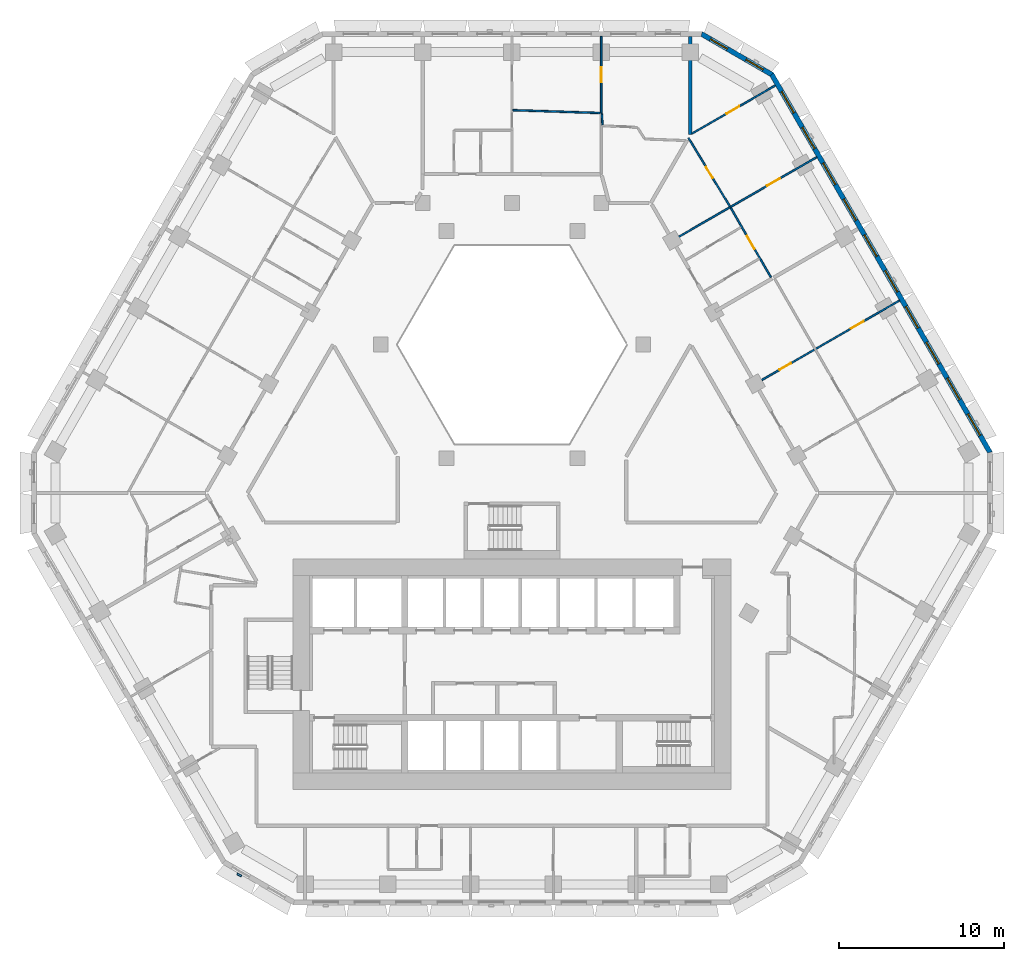
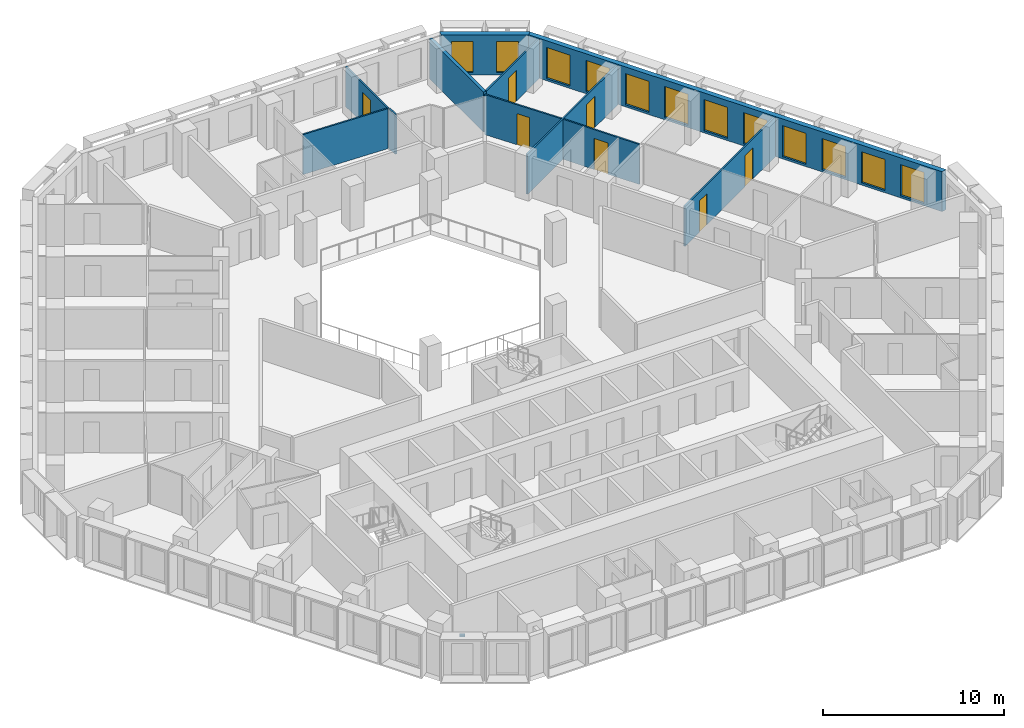
# One storey, part 10 of 18: 12 windows, 11 walls, 7 doors, 1 discrete accessory, 19 openings.
"""IFC4 building model written with IfcOpenShell, lengths in metres."""

from ifc_helpers import new_model, si_unit, direction, frame, frame_2d, origin, place, context, subcontext, project, spatial, polyline, rectangle, outline, extrude, source, transform, mapped, material, layer, layer_set, type_object, type_shapes, element, fill, save


model = new_model("IFC4")

# Units and contexts
model_context = context("Model", 3, precision=1e-05, world=origin(), true_north=direction((0.0, 1.0)))
body_context = subcontext(model_context, "Body", "Model", "MODEL_VIEW")
ifc_project = project(units=[si_unit("LENGTHUNIT", "METRE"), si_unit("AREAUNIT", "SQUARE_METRE"), si_unit("VOLUMEUNIT", "CUBIC_METRE"), si_unit("PLANEANGLEUNIT", "RADIAN"), si_unit("MASSUNIT", "GRAM", prefix="KILO")], contexts=[model_context])

# Site, building, storey
site_placement = place(None, origin())
site = spatial("IfcSite", under=ifc_project, at=site_placement, CompositionType="ELEMENT")
building_placement = place(site_placement, origin())
building = spatial("IfcBuilding", under=site, at=building_placement, Name="Beryl Residences", CompositionType="ELEMENT")
storey_placement = place(building_placement, frame((0.0, 0.0, 99.0)))
storey = spatial("IfcBuildingStorey", under=building, at=storey_placement, Name="L30", CompositionType="ELEMENT", Elevation=99.0)

# Wall, openings, windows
ifc_material_1 = material(Name="Composite metal panel with mineral wool insulation")
ifc_layer_1 = layer(ifc_material_1, 0.300048828125)
ifc_layer_set_1 = layer_set([ifc_layer_1], Name="ES1 pale metal composite panel wall 300 mm")
wall_type_1 = type_object("IfcWallType", Name="ES1 pale metal composite panel wall 300 mm", PredefinedType="SOLIDWALL", material=ifc_layer_set_1)
wall_1_placement = place(storey_placement, frame((29.027099609375, 1.425048828125, 0.0), z_axis=(0.0, 0.0, 1.0), x_axis=(-0.500027479704, 0.866009537788, 0.0)))
wall_1 = element("IfcWall", 1, at=wall_1_placement, inside=storey, type_object=wall_type_1, Name="ES1 external wall L30 NE", PredefinedType="SOLIDWALL", context=body_context, shape_type="SweptSolid", body=[
    extrude(outline(polyline([(0.0, -0.14990234375), (26.55859375, -0.14990234375), (26.478271484375, 0.14990234375), (0.080322265625, 0.14990234375), (0.0, -0.14990234375)])), origin(), (0.0, 0.0, 1.0), 2.699951171875),
])
opening_1_placement = place(wall_1_placement, frame((1.22705078125, 0.0, 0.14990234375)))
opening_1 = element("IfcOpeningElement", 2, at=opening_1_placement, cuts=wall_1, Name="Opening W1", PredefinedType="OPENING", context=body_context, shape_type="SweptSolid", body=[
    extrude(rectangle(XDim=1.5, YDim=2.10009765625, at=frame_2d((0.75, 1.050048828125))), frame((0.0, 0.159912109375, 0.0), z_axis=(0.0, -1.0, 0.0), x_axis=(1.0, 0.0, 0.0)), (0.0, 0.0, 1.0), 0.320068359375),
])
opening_2_placement = place(wall_1_placement, frame((3.738037109375, 0.0, 0.14990234375)))
opening_2 = element("IfcOpeningElement", 3, at=opening_2_placement, cuts=wall_1, Name="Opening W1", PredefinedType="OPENING", context=body_context, shape_type="SweptSolid", body=[
    extrude(rectangle(XDim=1.5, YDim=2.10009765625, at=frame_2d((0.75, 1.050048828125))), frame((0.0, 0.159912109375, 0.0), z_axis=(0.0, -1.0, 0.0), x_axis=(1.0, 0.0, 0.0)), (0.0, 0.0, 1.0), 0.320068359375),
])
opening_3_placement = place(wall_1_placement, frame((6.25, 0.0, 0.14990234375)))
opening_3 = element("IfcOpeningElement", 4, at=opening_3_placement, cuts=wall_1, Name="Opening W1", PredefinedType="OPENING", context=body_context, shape_type="SweptSolid", body=[
    extrude(rectangle(XDim=1.5, YDim=2.10009765625, at=frame_2d((0.75, 1.050048828125))), frame((0.0, 0.159912109375, 0.0), z_axis=(0.0, -1.0, 0.0), x_axis=(1.0, 0.0, 0.0)), (0.0, 0.0, 1.0), 0.320068359375),
])
opening_4_placement = place(wall_1_placement, frame((8.760986328125, 0.0, 0.14990234375)))
opening_4 = element("IfcOpeningElement", 5, at=opening_4_placement, cuts=wall_1, Name="Opening W1", PredefinedType="OPENING", context=body_context, shape_type="SweptSolid", body=[
    extrude(rectangle(XDim=1.5, YDim=2.10009765625, at=frame_2d((0.75, 1.050048828125))), frame((0.0, 0.159912109375, 0.0), z_axis=(0.0, -1.0, 0.0), x_axis=(1.0, 0.0, 0.0)), (0.0, 0.0, 1.0), 0.320068359375),
])
opening_5_placement = place(wall_1_placement, frame((11.27294921875, 0.0, 0.14990234375)))
opening_5 = element("IfcOpeningElement", 6, at=opening_5_placement, cuts=wall_1, Name="Opening W1", PredefinedType="OPENING", context=body_context, shape_type="SweptSolid", body=[
    extrude(rectangle(XDim=1.5, YDim=2.10009765625, at=frame_2d((0.75, 1.050048828125))), frame((0.0, 0.159912109375, 0.0), z_axis=(0.0, -1.0, 0.0), x_axis=(1.0, 0.0, 0.0)), (0.0, 0.0, 1.0), 0.320068359375),
])
opening_6_placement = place(wall_1_placement, frame((13.784912109375, 0.0, 0.14990234375)))
opening_6 = element("IfcOpeningElement", 7, at=opening_6_placement, cuts=wall_1, Name="Opening W1", PredefinedType="OPENING", context=body_context, shape_type="SweptSolid", body=[
    extrude(rectangle(XDim=1.5, YDim=2.10009765625, at=frame_2d((0.75, 1.050048828125))), frame((0.0, 0.159912109375, 0.0), z_axis=(0.0, -1.0, 0.0), x_axis=(1.0, 0.0, 0.0)), (0.0, 0.0, 1.0), 0.320068359375),
])
opening_7_placement = place(wall_1_placement, frame((16.2958984375, 0.0, 0.14990234375)))
opening_7 = element("IfcOpeningElement", 8, at=opening_7_placement, cuts=wall_1, Name="Opening W1", PredefinedType="OPENING", context=body_context, shape_type="SweptSolid", body=[
    extrude(rectangle(XDim=1.5, YDim=2.10009765625, at=frame_2d((0.75, 1.050048828125))), frame((0.0, 0.159912109375, 0.0), z_axis=(0.0, -1.0, 0.0), x_axis=(1.0, 0.0, 0.0)), (0.0, 0.0, 1.0), 0.320068359375),
])
opening_8_placement = place(wall_1_placement, frame((18.806884765625, 0.0, 0.14990234375)))
opening_8 = element("IfcOpeningElement", 9, at=opening_8_placement, cuts=wall_1, Name="Opening W1", PredefinedType="OPENING", context=body_context, shape_type="SweptSolid", body=[
    extrude(rectangle(XDim=1.5, YDim=2.10009765625, at=frame_2d((0.75, 1.050048828125))), frame((0.0, 0.159912109375, 0.0), z_axis=(0.0, -1.0, 0.0), x_axis=(1.0, 0.0, 0.0)), (0.0, 0.0, 1.0), 0.320068359375),
])
opening_9_placement = place(wall_1_placement, frame((21.319091796875, 0.0, 0.14990234375)))
opening_9 = element("IfcOpeningElement", 10, at=opening_9_placement, cuts=wall_1, Name="Opening W1", PredefinedType="OPENING", context=body_context, shape_type="SweptSolid", body=[
    extrude(rectangle(XDim=1.5, YDim=2.10009765625, at=frame_2d((0.75, 1.050048828125))), frame((0.0, 0.159912109375, 0.0), z_axis=(0.0, -1.0, 0.0), x_axis=(1.0, 0.0, 0.0)), (0.0, 0.0, 1.0), 0.320068359375),
])
opening_10_placement = place(wall_1_placement, frame((23.8310546875, 0.0, 0.14990234375)))
opening_10 = element("IfcOpeningElement", 11, at=opening_10_placement, cuts=wall_1, Name="Opening W1", PredefinedType="OPENING", context=body_context, shape_type="SweptSolid", body=[
    extrude(rectangle(XDim=1.5, YDim=2.10009765625, at=frame_2d((0.75, 1.050048828125))), frame((0.0, 0.159912109375, 0.0), z_axis=(0.0, -1.0, 0.0), x_axis=(1.0, 0.0, 0.0)), (0.0, 0.0, 1.0), 0.320068359375),
])
ifc_material_2 = material(Name="Aluminium and clear glass", Category="aluminium")
window_type_1 = type_object("IfcWindowType", Name="W1 cell window 1500 x 2100 mm", PartitioningType="SINGLE_PANEL", PredefinedType="WINDOW", material=ifc_material_2)
window_1_placement = place(opening_1_placement, origin())
window_1 = element("IfcWindow", 12, at=window_1_placement, inside=storey, type_object=window_type_1, Name="W1 window L30 NE 1", OverallHeight=2.10009765625, OverallWidth=1.5, PartitioningType="SINGLE_PANEL", PredefinedType="WINDOW", context=body_context, shape_type="SweptSolid", body=[
    extrude(rectangle(XDim=1.5, YDim=2.10009765625, at=frame_2d((0.75, 1.050048828125))), frame((0.0, 0.030029296875, 0.0), z_axis=(0.0, -1.0, 0.0), x_axis=(1.0, 0.0, 0.0)), (0.0, 0.0, 1.0), 0.06005859375),
])
fill(opening_1, window_1)
window_2_placement = place(opening_2_placement, origin())
window_2 = element("IfcWindow", 13, at=window_2_placement, inside=storey, type_object=window_type_1, Name="W1 window L30 NE 2", OverallHeight=2.10009765625, OverallWidth=1.5, PartitioningType="SINGLE_PANEL", PredefinedType="WINDOW", context=body_context, shape_type="SweptSolid", body=[
    extrude(rectangle(XDim=1.5, YDim=2.10009765625, at=frame_2d((0.75, 1.050048828125))), frame((0.0, 0.030029296875, 0.0), z_axis=(0.0, -1.0, 0.0), x_axis=(1.0, 0.0, 0.0)), (0.0, 0.0, 1.0), 0.06005859375),
])
fill(opening_2, window_2)
window_3_placement = place(opening_3_placement, origin())
window_3 = element("IfcWindow", 14, at=window_3_placement, inside=storey, type_object=window_type_1, Name="W1 window L30 NE 3", OverallHeight=2.10009765625, OverallWidth=1.5, PartitioningType="SINGLE_PANEL", PredefinedType="WINDOW", context=body_context, shape_type="SweptSolid", body=[
    extrude(rectangle(XDim=1.5, YDim=2.10009765625, at=frame_2d((0.75, 1.050048828125))), frame((0.0, 0.030029296875, 0.0), z_axis=(0.0, -1.0, 0.0), x_axis=(1.0, 0.0, 0.0)), (0.0, 0.0, 1.0), 0.06005859375),
])
fill(opening_3, window_3)
window_4_placement = place(opening_4_placement, origin())
window_4 = element("IfcWindow", 15, at=window_4_placement, inside=storey, type_object=window_type_1, Name="W1 window L30 NE 4", OverallHeight=2.10009765625, OverallWidth=1.5, PartitioningType="SINGLE_PANEL", PredefinedType="WINDOW", context=body_context, shape_type="SweptSolid", body=[
    extrude(rectangle(XDim=1.5, YDim=2.10009765625, at=frame_2d((0.75, 1.050048828125))), frame((0.0, 0.030029296875, 0.0), z_axis=(0.0, -1.0, 0.0), x_axis=(1.0, 0.0, 0.0)), (0.0, 0.0, 1.0), 0.06005859375),
])
fill(opening_4, window_4)
window_5_placement = place(opening_5_placement, origin())
window_5 = element("IfcWindow", 16, at=window_5_placement, inside=storey, type_object=window_type_1, Name="W1 window L30 NE 5", OverallHeight=2.10009765625, OverallWidth=1.5, PartitioningType="SINGLE_PANEL", PredefinedType="WINDOW", context=body_context, shape_type="SweptSolid", body=[
    extrude(rectangle(XDim=1.5, YDim=2.10009765625, at=frame_2d((0.75, 1.050048828125))), frame((0.0, 0.030029296875, 0.0), z_axis=(0.0, -1.0, 0.0), x_axis=(1.0, 0.0, 0.0)), (0.0, 0.0, 1.0), 0.06005859375),
])
fill(opening_5, window_5)
window_6_placement = place(opening_6_placement, origin())
window_6 = element("IfcWindow", 17, at=window_6_placement, inside=storey, type_object=window_type_1, Name="W1 window L30 NE 6", OverallHeight=2.10009765625, OverallWidth=1.5, PartitioningType="SINGLE_PANEL", PredefinedType="WINDOW", context=body_context, shape_type="SweptSolid", body=[
    extrude(rectangle(XDim=1.5, YDim=2.10009765625, at=frame_2d((0.75, 1.050048828125))), frame((0.0, 0.030029296875, 0.0), z_axis=(0.0, -1.0, 0.0), x_axis=(1.0, 0.0, 0.0)), (0.0, 0.0, 1.0), 0.06005859375),
])
fill(opening_6, window_6)
window_7_placement = place(opening_7_placement, origin())
window_7 = element("IfcWindow", 18, at=window_7_placement, inside=storey, type_object=window_type_1, Name="W1 window L30 NE 7", OverallHeight=2.10009765625, OverallWidth=1.5, PartitioningType="SINGLE_PANEL", PredefinedType="WINDOW", context=body_context, shape_type="SweptSolid", body=[
    extrude(rectangle(XDim=1.5, YDim=2.10009765625, at=frame_2d((0.75, 1.050048828125))), frame((0.0, 0.030029296875, 0.0), z_axis=(0.0, -1.0, 0.0), x_axis=(1.0, 0.0, 0.0)), (0.0, 0.0, 1.0), 0.06005859375),
])
fill(opening_7, window_7)
window_8_placement = place(opening_8_placement, origin())
window_8 = element("IfcWindow", 19, at=window_8_placement, inside=storey, type_object=window_type_1, Name="W1 window L30 NE 8", OverallHeight=2.10009765625, OverallWidth=1.5, PartitioningType="SINGLE_PANEL", PredefinedType="WINDOW", context=body_context, shape_type="SweptSolid", body=[
    extrude(rectangle(XDim=1.5, YDim=2.10009765625, at=frame_2d((0.75, 1.050048828125))), frame((0.0, 0.030029296875, 0.0), z_axis=(0.0, -1.0, 0.0), x_axis=(1.0, 0.0, 0.0)), (0.0, 0.0, 1.0), 0.06005859375),
])
fill(opening_8, window_8)
window_9_placement = place(opening_9_placement, origin())
window_9 = element("IfcWindow", 20, at=window_9_placement, inside=storey, type_object=window_type_1, Name="W1 window L30 NE 9", OverallHeight=2.10009765625, OverallWidth=1.5, PartitioningType="SINGLE_PANEL", PredefinedType="WINDOW", context=body_context, shape_type="SweptSolid", body=[
    extrude(rectangle(XDim=1.5, YDim=2.10009765625, at=frame_2d((0.75, 1.050048828125))), frame((0.0, 0.030029296875, 0.0), z_axis=(0.0, -1.0, 0.0), x_axis=(1.0, 0.0, 0.0)), (0.0, 0.0, 1.0), 0.06005859375),
])
fill(opening_9, window_9)
window_10_placement = place(opening_10_placement, origin())
window_10 = element("IfcWindow", 21, at=window_10_placement, inside=storey, type_object=window_type_1, Name="W1 window L30 NE 10", OverallHeight=2.10009765625, OverallWidth=1.5, PartitioningType="SINGLE_PANEL", PredefinedType="WINDOW", context=body_context, shape_type="SweptSolid", body=[
    extrude(rectangle(XDim=1.5, YDim=2.10009765625, at=frame_2d((0.75, 1.050048828125))), frame((0.0, 0.030029296875, 0.0), z_axis=(0.0, -1.0, 0.0), x_axis=(1.0, 0.0, 0.0)), (0.0, 0.0, 1.0), 0.06005859375),
])
fill(opening_10, window_10)

wall_2_placement = place(storey_placement, frame((15.802001953125, 24.3701171875, 0.0), z_axis=(0.0, 0.0, 1.0), x_axis=(-0.866022959057, 0.500004234368, 0.0)))
wall_2 = element("IfcWall", 22, at=wall_2_placement, inside=storey, type_object=wall_type_1, Name="ES1 external wall L30 NE-N", PredefinedType="SOLIDWALL", context=body_context, shape_type="SweptSolid", body=[
    extrude(outline(polyline([(0.0, -0.14990234375), (5.0, -0.14990234375), (4.919677734375, 0.14990234375), (0.080322265625, 0.14990234375), (0.0, -0.14990234375)])), origin(), (0.0, 0.0, 1.0), 2.699951171875),
])
opening_11_placement = place(wall_2_placement, frame((0.64990234375, 0.0, 0.14990234375)))
opening_11 = element("IfcOpeningElement", 23, at=opening_11_placement, cuts=wall_2, Name="Opening W2", PredefinedType="OPENING", context=body_context, shape_type="SweptSolid", body=[
    extrude(rectangle(XDim=1.199951171875, YDim=2.10009765625, at=frame_2d((0.60009765625, 1.050048828125))), frame((0.0, 0.159912109375, 0.0), z_axis=(0.0, -1.0, 0.0), x_axis=(1.0, 0.0, 0.0)), (0.0, 0.0, 1.0), 0.320068359375),
])
opening_12_placement = place(wall_2_placement, frame((3.14990234375, 0.0, 0.14990234375)))
opening_12 = element("IfcOpeningElement", 24, at=opening_12_placement, cuts=wall_2, Name="Opening W2", PredefinedType="OPENING", context=body_context, shape_type="SweptSolid", body=[
    extrude(rectangle(XDim=1.199951171875, YDim=2.10009765625, at=frame_2d((0.60009765625, 1.050048828125))), frame((0.0, 0.159912109375, 0.0), z_axis=(0.0, -1.0, 0.0), x_axis=(1.0, 0.0, 0.0)), (0.0, 0.0, 1.0), 0.320068359375),
])
ifc_material_3 = material(Name="Aluminium and clear glass", Category="aluminium")
window_type_2 = type_object("IfcWindowType", Name="W2 chamfer window 1200 x 2100 mm", PartitioningType="SINGLE_PANEL", PredefinedType="WINDOW", material=ifc_material_3)
window_11_placement = place(opening_11_placement, origin())
window_11 = element("IfcWindow", 25, at=window_11_placement, inside=storey, type_object=window_type_2, Name="W2 window L30 NE-N 1", OverallHeight=2.10009765625, OverallWidth=1.199951171875, PartitioningType="SINGLE_PANEL", PredefinedType="WINDOW", context=body_context, shape_type="SweptSolid", body=[
    extrude(rectangle(XDim=1.199951171875, YDim=2.10009765625, at=frame_2d((0.60009765625, 1.050048828125))), frame((0.0, 0.030029296875, 0.0), z_axis=(0.0, -1.0, 0.0), x_axis=(1.0, 0.0, 0.0)), (0.0, 0.0, 1.0), 0.06005859375),
])
fill(opening_11, window_11)
window_12_placement = place(opening_12_placement, origin())
window_12 = element("IfcWindow", 26, at=window_12_placement, inside=storey, type_object=window_type_2, Name="W2 window L30 NE-N 2", OverallHeight=2.10009765625, OverallWidth=1.199951171875, PartitioningType="SINGLE_PANEL", PredefinedType="WINDOW", context=body_context, shape_type="SweptSolid", body=[
    extrude(rectangle(XDim=1.199951171875, YDim=2.10009765625, at=frame_2d((0.60009765625, 1.050048828125))), frame((0.0, 0.030029296875, 0.0), z_axis=(0.0, -1.0, 0.0), x_axis=(1.0, 0.0, 0.0)), (0.0, 0.0, 1.0), 0.06005859375),
])
fill(opening_12, window_12)

# Wall, opening, door
ifc_material_4 = material(Name="Gypsum board partition on steel studs", Category="steel")
ifc_layer_2 = layer(ifc_material_4, 0.10009765625)
ifc_layer_set_2 = layer_set([ifc_layer_2], Name="PT1 partition 100 mm gypsum board on steel studs")
wall_type_2 = type_object("IfcWallType", Name="PT1 partition 100 mm gypsum board on steel studs", PredefinedType="PARTITIONING", material=ifc_layer_set_2)
wall_3_placement = place(storey_placement, frame((10.7060546875, 20.54296875, 0.0), z_axis=(0.0, 0.0, 1.0), x_axis=(0.518240414093, -0.855234981278, 0.0)))
wall_3 = element("IfcWall", 27, at=wall_3_placement, inside=storey, type_object=wall_type_2, Name="Wall PT1 L30 002", PredefinedType="PARTITIONING", context=body_context, shape_type="SweptSolid", body=[
    extrude(rectangle(XDim=4.854736328125, YDim=0.10009765625, at=frame_2d((2.42724609375, 0.0))), origin(), (0.0, 0.0, 1.0), 2.699951171875),
])
opening_13_placement = place(wall_3_placement, frame((2.052001953125, 0.0, 0.0)))
opening_13 = element("IfcOpeningElement", 28, at=opening_13_placement, cuts=wall_3, Name="Opening D0733", PredefinedType="OPENING", context=body_context, shape_type="SweptSolid", body=[
    extrude(rectangle(XDim=0.800048828125, YDim=2.10009765625, at=frame_2d((0.39990234375, 1.050048828125))), frame((0.0, 0.06005859375, 0.0), z_axis=(0.0, -1.0, 0.0), x_axis=(1.0, 0.0, 0.0)), (0.0, 0.0, 1.0), 0.1201171875),
])
ifc_material_5 = material(Name="Timber door leaf", Category="wood")
door_type_1 = type_object("IfcDoorType", Name="D3 bathroom door 800 x 2100 mm", OperationType="SINGLE_SWING_LEFT", PredefinedType="DOOR", material=ifc_material_5)
door_1_placement = place(opening_13_placement, origin())
door_1 = element("IfcDoor", 29, at=door_1_placement, inside=storey, type_object=door_type_1, Name="Door D0733 L30 001", OperationType="SINGLE_SWING_LEFT", OverallHeight=2.10009765625, OverallWidth=0.800048828125, PredefinedType="DOOR", context=body_context, shape_type="SweptSolid", body=[
    extrude(rectangle(XDim=0.800048828125, YDim=2.10009765625, at=frame_2d((0.39990234375, 1.050048828125))), frame((0.0, 0.02490234375, 0.0), z_axis=(0.0, -1.0, 0.0), x_axis=(1.0, 0.0, 0.0)), (0.0, 0.0, 1.0), 0.050048828125),
])
fill(opening_13, door_1)

wall_4_placement = place(storey_placement, frame((13.27294921875, 16.304931640625, 0.0), z_axis=(0.0, 0.0, 1.0), x_axis=(0.500093956194, -0.865971151354, 0.0)))
wall_4 = element("IfcWall", 30, at=wall_4_placement, inside=storey, type_object=wall_type_2, Name="Wall PT1 L30 003", PredefinedType="PARTITIONING", context=body_context, shape_type="SweptSolid", body=[
    extrude(rectangle(XDim=4.873046875, YDim=0.10009765625, at=frame_2d((2.4365234375, 0.0))), origin(), (0.0, 0.0, 1.0), 2.699951171875),
])
opening_14_placement = place(wall_4_placement, frame((1.987060546875, 0.0, 0.0)))
opening_14 = element("IfcOpeningElement", 31, at=opening_14_placement, cuts=wall_4, Name="Opening D0730", PredefinedType="OPENING", context=body_context, shape_type="SweptSolid", body=[
    extrude(rectangle(XDim=0.89990234375, YDim=2.10009765625, at=frame_2d((0.449951171875, 1.050048828125))), frame((0.0, 0.06005859375, 0.0), z_axis=(0.0, -1.0, 0.0), x_axis=(1.0, 0.0, 0.0)), (0.0, 0.0, 1.0), 0.1201171875),
])
ifc_material_6 = material(Name="Timber door leaf", Category="wood")
door_type_2 = type_object("IfcDoorType", Name="D2 room door 900 x 2100 mm", OperationType="SINGLE_SWING_LEFT", PredefinedType="DOOR", material=ifc_material_6)
door_2_placement = place(opening_14_placement, origin())
door_2 = element("IfcDoor", 32, at=door_2_placement, inside=storey, type_object=door_type_2, Name="Door D0730 L30 001", OperationType="SINGLE_SWING_RIGHT", OverallHeight=2.10009765625, OverallWidth=0.89990234375, PredefinedType="DOOR", context=body_context, shape_type="SweptSolid", body=[
    extrude(rectangle(XDim=0.89990234375, YDim=2.10009765625, at=frame_2d((0.449951171875, 1.050048828125))), frame((0.0, 0.02490234375, 0.0), z_axis=(0.0, -1.0, 0.0), x_axis=(1.0, 0.0, 0.0)), (0.0, 0.0, 1.0), 0.050048828125),
])
fill(opening_14, door_2)

# Walls
wall_5_placement = place(storey_placement, frame((5.4541015625, 22.001953125, 0.0), z_axis=(0.0, 0.0, 1.0), x_axis=(0.048996315227, -0.998798959298, 0.0)))
element("IfcWall", 33, at=wall_5_placement, inside=storey, type_object=wall_type_2, Name="Wall PT1 L30 007", PredefinedType="PARTITIONING", context=body_context, shape_type="SweptSolid", body=[
    extrude(rectangle(XDim=0.672607421875, YDim=0.10009765625, at=frame_2d((0.33642578125, 0.0))), origin(), (0.0, 0.0, 1.0), 2.699951171875),
])
wall_6_placement = place(storey_placement, frame((0.049072265625, 22.22802734375, 0.0), z_axis=(0.0, 0.0, 1.0), x_axis=(0.99947566488, -0.032378933174, 0.0)))
element("IfcWall", 34, at=wall_6_placement, inside=storey, type_object=wall_type_2, Name="Wall PT1 L30 016", PredefinedType="PARTITIONING", context=body_context, shape_type="SweptSolid", body=[
    extrude(rectangle(XDim=5.315673828125, YDim=0.10009765625, at=frame_2d((2.65771484375, 0.0))), origin(), (0.0, 0.0, 1.0), 2.699951171875),
])

# Wall, opening, door
wall_7_placement = place(storey_placement, frame((5.412109375, 22.054931640625, 0.0), z_axis=(0.0, 0.0, 1.0), x_axis=(0.0, 1.0, 0.0)))
wall_7 = element("IfcWall", 35, at=wall_7_placement, inside=storey, type_object=wall_type_2, Name="Wall PT1 L30 040", PredefinedType="PARTITIONING", context=body_context, shape_type="SweptSolid", body=[
    extrude(rectangle(XDim=4.64501953125, YDim=0.10009765625, at=frame_2d((2.322509765625, 0.0))), origin(), (0.0, 0.0, 1.0), 2.699951171875),
])
opening_15_placement = place(wall_7_placement, frame((1.873046875, 0.0, 0.0)))
opening_15 = element("IfcOpeningElement", 36, at=opening_15_placement, cuts=wall_7, Name="Opening D0739", PredefinedType="OPENING", context=body_context, shape_type="SweptSolid", body=[
    extrude(rectangle(XDim=0.89990234375, YDim=2.10009765625, at=frame_2d((0.449951171875, 1.050048828125))), frame((0.0, 0.06005859375, 0.0), z_axis=(0.0, -1.0, 0.0), x_axis=(1.0, 0.0, 0.0)), (0.0, 0.0, 1.0), 0.1201171875),
])
door_3_placement = place(opening_15_placement, origin())
door_3 = element("IfcDoor", 37, at=door_3_placement, inside=storey, type_object=door_type_2, Name="Door D0739 L30 001", OperationType="SINGLE_SWING_LEFT", OverallHeight=2.10009765625, OverallWidth=0.89990234375, PredefinedType="DOOR", context=body_context, shape_type="SweptSolid", body=[
    extrude(rectangle(XDim=0.89990234375, YDim=2.10009765625, at=frame_2d((0.449951171875, 1.050048828125))), frame((0.0, 0.02490234375, 0.0), z_axis=(0.0, -1.0, 0.0), x_axis=(1.0, 0.0, 0.0)), (0.0, 0.0, 1.0), 0.050048828125),
])
fill(opening_15, door_3)

# Wall, openings, doors
wall_8_placement = place(storey_placement, frame((14.85302734375, 5.675048828125, 0.0), z_axis=(0.0, 0.0, 1.0), x_axis=(0.866016855193, 0.500014806302, 0.0)))
wall_8 = element("IfcWall", 38, at=wall_8_placement, inside=storey, type_object=wall_type_2, Name="Wall PT1 L30 053", PredefinedType="PARTITIONING", context=body_context, shape_type="SweptSolid", body=[
    extrude(rectangle(XDim=9.999755859375, YDim=0.10009765625, at=frame_2d((5.0, 0.0))), origin(), (0.0, 0.0, 1.0), 2.699951171875),
])
opening_16_placement = place(wall_8_placement, frame((1.60009765625, 0.0, 0.0)))
opening_16 = element("IfcOpeningElement", 39, at=opening_16_placement, cuts=wall_8, Name="Opening D0723", PredefinedType="OPENING", context=body_context, shape_type="SweptSolid", body=[
    extrude(rectangle(XDim=0.800048828125, YDim=2.10009765625, at=frame_2d((0.39990234375, 1.050048828125))), frame((0.0, 0.06005859375, 0.0), z_axis=(0.0, -1.0, 0.0), x_axis=(1.0, 0.0, 0.0)), (0.0, 0.0, 1.0), 0.1201171875),
])
opening_17_placement = place(wall_8_placement, frame((6.60009765625, 0.0, 0.0)))
opening_17 = element("IfcOpeningElement", 40, at=opening_17_placement, cuts=wall_8, Name="Opening D0726", PredefinedType="OPENING", context=body_context, shape_type="SweptSolid", body=[
    extrude(rectangle(XDim=0.89990234375, YDim=2.10009765625, at=frame_2d((0.449951171875, 1.050048828125))), frame((0.0, 0.06005859375, 0.0), z_axis=(0.0, -1.0, 0.0), x_axis=(1.0, 0.0, 0.0)), (0.0, 0.0, 1.0), 0.1201171875),
])
door_4_placement = place(opening_17_placement, origin())
door_4 = element("IfcDoor", 41, at=door_4_placement, inside=storey, type_object=door_type_2, Name="Door D0726 L30 001", OperationType="SINGLE_SWING_RIGHT", OverallHeight=2.10009765625, OverallWidth=0.89990234375, PredefinedType="DOOR", context=body_context, shape_type="SweptSolid", body=[
    extrude(rectangle(XDim=0.89990234375, YDim=2.10009765625, at=frame_2d((0.449951171875, 1.050048828125))), frame((0.0, 0.02490234375, 0.0), z_axis=(0.0, -1.0, 0.0), x_axis=(1.0, 0.0, 0.0)), (0.0, 0.0, 1.0), 0.050048828125),
])
fill(opening_17, door_4)
door_5_placement = place(opening_16_placement, origin())
door_5 = element("IfcDoor", 42, at=door_5_placement, inside=storey, type_object=door_type_1, Name="Door D0723 L30 001", OperationType="SINGLE_SWING_LEFT", OverallHeight=2.10009765625, OverallWidth=0.800048828125, PredefinedType="DOOR", context=body_context, shape_type="SweptSolid", body=[
    extrude(rectangle(XDim=0.800048828125, YDim=2.10009765625, at=frame_2d((0.39990234375, 1.050048828125))), frame((0.0, 0.02490234375, 0.0), z_axis=(0.0, -1.0, 0.0), x_axis=(1.0, 0.0, 0.0)), (0.0, 0.0, 1.0), 0.050048828125),
])
fill(opening_16, door_5)

# Wall, opening, door
wall_9_placement = place(storey_placement, frame((9.830078125, 14.375, 0.0), z_axis=(0.0, 0.0, 1.0), x_axis=(0.866016855193, 0.500014806302, 0.0)))
wall_9 = element("IfcWall", 43, at=wall_9_placement, inside=storey, type_object=wall_type_2, Name="Wall PT1 L30 056", PredefinedType="PARTITIONING", context=body_context, shape_type="SweptSolid", body=[
    extrude(rectangle(XDim=9.999755859375, YDim=0.10009765625, at=frame_2d((5.0, 0.0))), origin(), (0.0, 0.0, 1.0), 2.699951171875),
])
opening_18_placement = place(wall_9_placement, frame((6.52294921875, 0.0, 0.0)))
opening_18 = element("IfcOpeningElement", 44, at=opening_18_placement, cuts=wall_9, Name="Opening D0731", PredefinedType="OPENING", context=body_context, shape_type="SweptSolid", body=[
    extrude(rectangle(XDim=0.89990234375, YDim=2.10009765625, at=frame_2d((0.449951171875, 1.050048828125))), frame((0.0, 0.06005859375, 0.0), z_axis=(0.0, -1.0, 0.0), x_axis=(1.0, 0.0, 0.0)), (0.0, 0.0, 1.0), 0.1201171875),
])
door_6_placement = place(opening_18_placement, origin())
door_6 = element("IfcDoor", 45, at=door_6_placement, inside=storey, type_object=door_type_2, Name="Door D0731 L30 001", OperationType="SINGLE_SWING_LEFT", OverallHeight=2.10009765625, OverallWidth=0.89990234375, PredefinedType="DOOR", context=body_context, shape_type="SweptSolid", body=[
    extrude(rectangle(XDim=0.89990234375, YDim=2.10009765625, at=frame_2d((0.449951171875, 1.050048828125))), frame((0.0, 0.02490234375, 0.0), z_axis=(0.0, -1.0, 0.0), x_axis=(1.0, 0.0, 0.0)), (0.0, 0.0, 1.0), 0.050048828125),
])
fill(opening_18, door_6)

wall_10_placement = place(storey_placement, frame((10.926025390625, 20.80810546875, 0.0), z_axis=(0.0, 0.0, 1.0), x_axis=(0.86600925905, 0.500027962457, 0.0)))
wall_10 = element("IfcWall", 46, at=wall_10_placement, inside=storey, type_object=wall_type_2, Name="Wall PT1 L30 058", PredefinedType="PARTITIONING", context=body_context, shape_type="SweptSolid", body=[
    extrude(rectangle(XDim=5.833740234375, YDim=0.10009765625, at=frame_2d((2.9169921875, 0.0))), origin(), (0.0, 0.0, 1.0), 2.699951171875),
])
opening_19_placement = place(wall_10_placement, frame((2.408935546875, 0.0, 0.0)))
opening_19 = element("IfcOpeningElement", 47, at=opening_19_placement, cuts=wall_10, Name="Opening D0732", PredefinedType="OPENING", context=body_context, shape_type="SweptSolid", body=[
    extrude(rectangle(XDim=0.89990234375, YDim=2.10009765625, at=frame_2d((0.449951171875, 1.050048828125))), frame((0.0, 0.06005859375, 0.0), z_axis=(0.0, -1.0, 0.0), x_axis=(1.0, 0.0, 0.0)), (0.0, 0.0, 1.0), 0.1201171875),
])
door_7_placement = place(opening_19_placement, origin())
door_7 = element("IfcDoor", 48, at=door_7_placement, inside=storey, type_object=door_type_2, Name="Door D0732 L30 001", OperationType="SINGLE_SWING_RIGHT", OverallHeight=2.10009765625, OverallWidth=0.89990234375, PredefinedType="DOOR", context=body_context, shape_type="SweptSolid", body=[
    extrude(rectangle(XDim=0.89990234375, YDim=2.10009765625, at=frame_2d((0.449951171875, 1.050048828125))), frame((0.0, 0.02490234375, 0.0), z_axis=(0.0, -1.0, 0.0), x_axis=(1.0, 0.0, 0.0)), (0.0, 0.0, 1.0), 0.050048828125),
])
fill(opening_19, door_7)

# Wall
ifc_material_7 = material(Name="Acoustic double stud gypsum board wall")
ifc_layer_3 = layer(ifc_material_7, 0.199951171875)
ifc_layer_set_3 = layer_set([ifc_layer_3], Name="PT3 party wall 200 mm acoustic double stud")
wall_type_3 = type_object("IfcWallType", Name="PT3 party wall 200 mm acoustic double stud", PredefinedType="PARTITIONING", material=ifc_layer_set_3)
wall_11_placement = place(storey_placement, frame((10.824951171875, 20.748046875, 0.0), z_axis=(0.0, 0.0, 1.0), x_axis=(0.0, 1.0, 0.0)))
element("IfcWall", 49, at=wall_11_placement, inside=storey, type_object=wall_type_3, Name="Wall PT3 L30 014", PredefinedType="PARTITIONING", context=body_context, shape_type="SweptSolid", body=[
    extrude(rectangle(XDim=5.951904296875, YDim=0.199951171875, at=frame_2d((2.97607421875, 0.0))), origin(), (0.0, 0.0, 1.0), 2.699951171875),
])

# Discrete accessory
ifc_material_8 = material(Name="Steel S355", Category="steel")
discrete_accessory_type = type_object("IfcDiscreteAccessoryType", Name="BR1 frame bracket 300 x 120 x 150 mm", PredefinedType="BRACKET", material=ifc_material_8)
shared_shape = source(origin(), body_context, "Body", "SweptSolid", [
    extrude(outline(polyline([(-0.14990234375, 0.0), (0.14990234375, 0.0), (0.14990234375, 0.1201171875), (-0.14990234375, 0.1201171875), (-0.14990234375, 0.0)])), origin(), (0.0, 0.0, 1.0), 0.14990234375),
])
type_shapes(discrete_accessory_type, [shared_shape])
discrete_accessory_placement = place(storey_placement, frame((-16.527099609375, -24.125, 2.75), z_axis=(0.0, 0.0, 1.0), x_axis=(-0.866025403784, 0.5, 0.0)))
element("IfcDiscreteAccessory", 50, at=discrete_accessory_placement, inside=storey, type_object=discrete_accessory_type, Name="BR1 bracket L30 SW-S 1", PredefinedType="BRACKET", context=body_context, shape_type="MappedRepresentation", body=[
    mapped(shared_shape, transform((0.0, 0.0, 0.0))),
])

save(model, "model.ifc")
